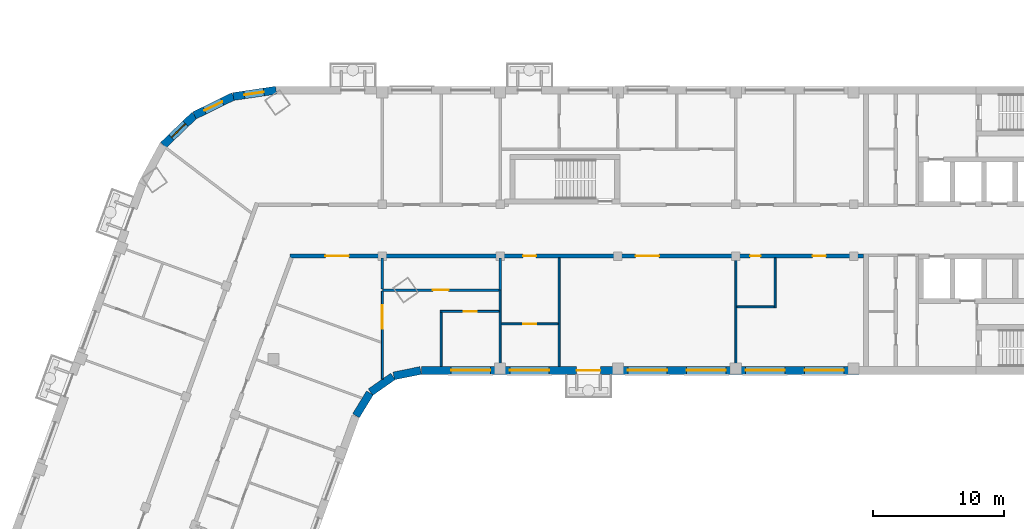
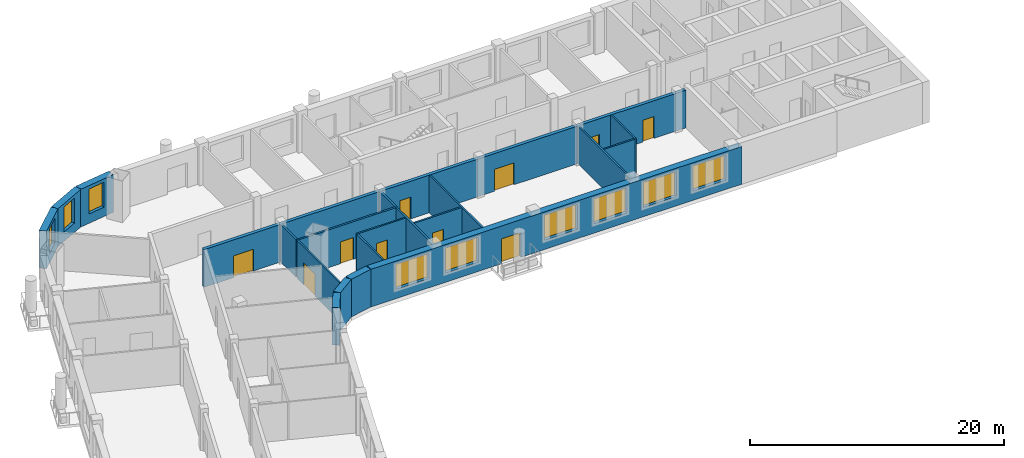
# One storey, part 4 of 13: 20 walls, 10 doors, 9 windows, 19 openings.
"""IFC4 building model written with IfcOpenShell, lengths in metres."""

from ifc_helpers import new_model, si_unit, direction, frame, frame_2d, origin, place, context, subcontext, project, spatial, rectangle, extrude, material, layer, layer_set, type_object, element, fill, save


model = new_model("IFC4")

# Units and contexts
model_context = context("Model", 3, precision=1e-05, world=origin(), true_north=direction((0.0, 1.0)))
body_context = subcontext(model_context, "Body", "Model", "MODEL_VIEW")
ifc_project = project(units=[si_unit("LENGTHUNIT", "METRE"), si_unit("AREAUNIT", "SQUARE_METRE"), si_unit("VOLUMEUNIT", "CUBIC_METRE"), si_unit("PLANEANGLEUNIT", "RADIAN"), si_unit("MASSUNIT", "GRAM", prefix="KILO")], contexts=[model_context])

# Site, building, storey
site_placement = place(None, origin())
site = spatial("IfcSite", under=ifc_project, at=site_placement, CompositionType="ELEMENT")
building_placement = place(site_placement, origin())
building = spatial("IfcBuilding", under=site, at=building_placement, Name="Skarvind Civic Tower", CompositionType="ELEMENT")
storey_placement = place(building_placement, frame((0.0, 0.0, 93.0)))
storey = spatial("IfcBuildingStorey", under=building, at=storey_placement, Name="L21", CompositionType="ELEMENT", Elevation=93.0)

# Wall
ifc_material_1 = material(Name="Acoustic gypsum board on steel studs", Category="steel")
ifc_layer_1 = layer(ifc_material_1, 0.175048828125)
ifc_layer_set_1 = layer_set([ifc_layer_1], Name="ACOUSTIC MEETING-ROOM PARTITION 175")
wall_type_1 = type_object("IfcWallType", Name="ACOUSTIC MEETING-ROOM PARTITION 175", PredefinedType="PARTITIONING", material=ifc_layer_set_1)
wall_1_placement = place(storey_placement, frame((54.25, 123.501953125, 0.0), z_axis=(0.0, 0.0, 1.0), x_axis=(0.0, 1.0, 0.0)))
element("IfcWall", 1, at=wall_1_placement, inside=storey, type_object=wall_type_1, Name="Partition 21.019", PredefinedType="PARTITIONING", context=body_context, shape_type="SweptSolid", body=[
    extrude(rectangle(XDim=2.39794921875, YDim=0.175048828125, at=frame_2d((1.198974609375, 0.0))), origin(), (0.0, 0.0, 1.0), 3.625),
])

# Wall, opening, door
wall_2_placement = place(storey_placement, frame((54.25, 123.429931640625, 0.0), z_axis=(0.0, 0.0, 1.0), x_axis=(1.0, 0.0, 0.0)))
wall_2 = element("IfcWall", 2, at=wall_2_placement, inside=storey, type_object=wall_type_1, Name="Partition 21.020", PredefinedType="PARTITIONING", context=body_context, shape_type="SweptSolid", body=[
    extrude(rectangle(XDim=8.912109375, YDim=0.175048828125, at=frame_2d((4.4560546875, 0.0))), origin(), (0.0, 0.0, 1.0), 3.625),
])
opening_1_placement = place(wall_2_placement, frame((3.865966796875, 0.0, 0.0)))
opening_1 = element("IfcOpeningElement", 3, at=opening_1_placement, cuts=wall_2, Name="Opening L21-D029", PredefinedType="OPENING", context=body_context, shape_type="SweptSolid", body=[
    extrude(rectangle(XDim=1.199951171875, YDim=2.10009765625, at=frame_2d((0.60009765625, 1.050048828125))), frame((0.0, 0.097412109375, 0.0), z_axis=(0.0, -1.0, 0.0), x_axis=(1.0, 0.0, 0.0)), (0.0, 0.0, 1.0), 0.195068359375),
])
ifc_material_2 = material(Name="Timber door leaf", Category="wood")
door_type_1 = type_object("IfcDoorType", Name="DOOR 1200X2100 DOUBLE TIMBER", OperationType="NOTDEFINED", PredefinedType="DOOR", material=ifc_material_2)
door_1_placement = place(opening_1_placement, origin())
door_1 = element("IfcDoor", 4, at=door_1_placement, inside=storey, type_object=door_type_1, Name="Door L21-D029", OperationType="DOUBLE_DOOR_SINGLE_SWING", OverallHeight=2.10009765625, OverallWidth=1.199951171875, PredefinedType="DOOR", context=body_context, shape_type="SweptSolid", body=[
    extrude(rectangle(XDim=1.199951171875, YDim=2.10009765625, at=frame_2d((0.60009765625, 1.050048828125))), frame((0.0, 0.02490234375, 0.0), z_axis=(0.0, -1.0, 0.0), x_axis=(1.0, 0.0, 0.0)), (0.0, 0.0, 1.0), 0.050048828125),
])
fill(opening_1, door_1)

# Wall
wall_3_placement = place(storey_placement, frame((63.25, 123.429931640625, 0.0), z_axis=(0.0, 0.0, 1.0), x_axis=(0.0, 1.0, 0.0)))
element("IfcWall", 5, at=wall_3_placement, inside=storey, type_object=wall_type_1, Name="Partition 21.027", PredefinedType="PARTITIONING", context=body_context, shape_type="SweptSolid", body=[
    extrude(rectangle(XDim=2.469970703125, YDim=0.175048828125, at=frame_2d((1.23486328125, 0.0))), origin(), (0.0, 0.0, 1.0), 3.625),
])

# Wall, openings, doors
ifc_material_3 = material(Name="Fire-rated gypsum board on steel studs", Category="steel")
ifc_layer_2 = layer(ifc_material_3, 0.300048828125)
ifc_layer_set_2 = layer_set([ifc_layer_2], Name="CORRIDOR WALL 300")
wall_type_2 = type_object("IfcWallType", Name="CORRIDOR WALL 300", PredefinedType="PARTITIONING", material=ifc_layer_set_2)
wall_4_placement = place(storey_placement, frame((91.0, 126.050048828125, 0.0), z_axis=(0.0, 0.0, 1.0), x_axis=(-1.0, 0.0, 0.0)))
wall_4 = element("IfcWall", 6, at=wall_4_placement, inside=storey, type_object=wall_type_2, Name="Partition 21.040", PredefinedType="PARTITIONING", context=body_context, shape_type="SweptSolid", body=[
    extrude(rectangle(XDim=43.784912109375, YDim=0.300048828125, at=frame_2d((21.892578125, 0.0))), origin(), (0.0, 0.0, 1.0), 3.625),
])
opening_2_placement = place(wall_4_placement, frame((7.85009765625, 0.0, 0.0)))
opening_2 = element("IfcOpeningElement", 7, at=opening_2_placement, cuts=wall_4, Name="Opening L21-D008", PredefinedType="OPENING", context=body_context, shape_type="SweptSolid", body=[
    extrude(rectangle(XDim=0.800048828125, YDim=2.10009765625, at=frame_2d((0.39990234375, 1.050048828125))), frame((0.0, 0.159912109375, 0.0), z_axis=(0.0, -1.0, 0.0), x_axis=(1.0, 0.0, 0.0)), (0.0, 0.0, 1.0), 0.320068359375),
])
opening_3_placement = place(wall_4_placement, frame((2.875, 0.0, 0.0)))
opening_3 = element("IfcOpeningElement", 8, at=opening_3_placement, cuts=wall_4, Name="Opening L21-D009", PredefinedType="OPENING", context=body_context, shape_type="SweptSolid", body=[
    extrude(rectangle(XDim=1.0, YDim=2.10009765625, at=frame_2d((0.5, 1.050048828125))), frame((0.0, 0.159912109375, 0.0), z_axis=(0.0, -1.0, 0.0), x_axis=(1.0, 0.0, 0.0)), (0.0, 0.0, 1.0), 0.320068359375),
])
opening_4_placement = place(wall_4_placement, frame((15.60009765625, 0.0, 0.0)))
opening_4 = element("IfcOpeningElement", 9, at=opening_4_placement, cuts=wall_4, Name="Opening L21-D010", PredefinedType="OPENING", context=body_context, shape_type="SweptSolid", body=[
    extrude(rectangle(XDim=1.800048828125, YDim=2.10009765625, at=frame_2d((0.89990234375, 1.050048828125))), frame((0.0, 0.159912109375, 0.0), z_axis=(0.0, -1.0, 0.0), x_axis=(1.0, 0.0, 0.0)), (0.0, 0.0, 1.0), 0.320068359375),
])
opening_5_placement = place(wall_4_placement, frame((25.0, 0.0, 0.0)))
opening_5 = element("IfcOpeningElement", 10, at=opening_5_placement, cuts=wall_4, Name="Opening L21-D011", PredefinedType="OPENING", context=body_context, shape_type="SweptSolid", body=[
    extrude(rectangle(XDim=1.0, YDim=2.10009765625, at=frame_2d((0.5, 1.050048828125))), frame((0.0, 0.159912109375, 0.0), z_axis=(0.0, -1.0, 0.0), x_axis=(1.0, 0.0, 0.0)), (0.0, 0.0, 1.0), 0.320068359375),
])
opening_6_placement = place(wall_4_placement, frame((39.2958984375, 0.0, 0.0)))
opening_6 = element("IfcOpeningElement", 11, at=opening_6_placement, cuts=wall_4, Name="Opening L21-D028", PredefinedType="OPENING", context=body_context, shape_type="SweptSolid", body=[
    extrude(rectangle(XDim=1.800048828125, YDim=2.10009765625, at=frame_2d((0.89990234375, 1.050048828125))), frame((0.0, 0.159912109375, 0.0), z_axis=(0.0, -1.0, 0.0), x_axis=(1.0, 0.0, 0.0)), (0.0, 0.0, 1.0), 0.320068359375),
])
ifc_material_4 = material(Name="Fire-rated timber door leaf", Category="wood")
door_type_2 = type_object("IfcDoorType", Name="FD1 1000x2100", OperationType="NOTDEFINED", PredefinedType="DOOR", material=ifc_material_4)
door_2_placement = place(opening_3_placement, origin())
door_2 = element("IfcDoor", 12, at=door_2_placement, inside=storey, type_object=door_type_2, Name="Door L21-D009", OperationType="SINGLE_SWING_LEFT", OverallHeight=2.10009765625, OverallWidth=1.0, PredefinedType="DOOR", context=body_context, shape_type="SweptSolid", body=[
    extrude(rectangle(XDim=1.0, YDim=2.10009765625, at=frame_2d((0.5, 1.050048828125))), frame((0.0, 0.02490234375, 0.0), z_axis=(0.0, -1.0, 0.0), x_axis=(1.0, 0.0, 0.0)), (0.0, 0.0, 1.0), 0.050048828125),
])
fill(opening_3, door_2)
door_3_placement = place(opening_5_placement, origin())
door_3 = element("IfcDoor", 13, at=door_3_placement, inside=storey, type_object=door_type_2, Name="Door L21-D011", OperationType="SINGLE_SWING_LEFT", OverallHeight=2.10009765625, OverallWidth=1.0, PredefinedType="DOOR", context=body_context, shape_type="SweptSolid", body=[
    extrude(rectangle(XDim=1.0, YDim=2.10009765625, at=frame_2d((0.5, 1.050048828125))), frame((0.0, 0.02490234375, 0.0), z_axis=(0.0, -1.0, 0.0), x_axis=(1.0, 0.0, 0.0)), (0.0, 0.0, 1.0), 0.050048828125),
])
fill(opening_5, door_3)
door_type_3 = type_object("IfcDoorType", Name="FD4 1800x2100", OperationType="NOTDEFINED", PredefinedType="DOOR", material=ifc_material_4)
door_4_placement = place(opening_4_placement, origin())
door_4 = element("IfcDoor", 14, at=door_4_placement, inside=storey, type_object=door_type_3, Name="Door L21-D010", OperationType="DOUBLE_DOOR_SINGLE_SWING", OverallHeight=2.10009765625, OverallWidth=1.800048828125, PredefinedType="DOOR", context=body_context, shape_type="SweptSolid", body=[
    extrude(rectangle(XDim=1.800048828125, YDim=2.10009765625, at=frame_2d((0.89990234375, 1.050048828125))), frame((0.0, 0.02490234375, 0.0), z_axis=(0.0, -1.0, 0.0), x_axis=(1.0, 0.0, 0.0)), (0.0, 0.0, 1.0), 0.050048828125),
])
fill(opening_4, door_4)
door_5_placement = place(opening_6_placement, origin())
door_5 = element("IfcDoor", 15, at=door_5_placement, inside=storey, type_object=door_type_3, Name="Door L21-D028", OperationType="DOUBLE_DOOR_SINGLE_SWING", OverallHeight=2.10009765625, OverallWidth=1.800048828125, PredefinedType="DOOR", context=body_context, shape_type="SweptSolid", body=[
    extrude(rectangle(XDim=1.800048828125, YDim=2.10009765625, at=frame_2d((0.89990234375, 1.050048828125))), frame((0.0, 0.02490234375, 0.0), z_axis=(0.0, -1.0, 0.0), x_axis=(1.0, 0.0, 0.0)), (0.0, 0.0, 1.0), 0.050048828125),
])
fill(opening_6, door_5)
door_type_4 = type_object("IfcDoorType", Name="FD5 800x2100", OperationType="NOTDEFINED", PredefinedType="DOOR", material=ifc_material_4)
door_6_placement = place(opening_2_placement, origin())
door_6 = element("IfcDoor", 16, at=door_6_placement, inside=storey, type_object=door_type_4, Name="Door L21-D008", OperationType="SINGLE_SWING_RIGHT", OverallHeight=2.10009765625, OverallWidth=0.800048828125, PredefinedType="DOOR", context=body_context, shape_type="SweptSolid", body=[
    extrude(rectangle(XDim=0.800048828125, YDim=2.10009765625, at=frame_2d((0.39990234375, 1.050048828125))), frame((0.0, 0.02490234375, 0.0), z_axis=(0.0, -1.0, 0.0), x_axis=(1.0, 0.0, 0.0)), (0.0, 0.0, 1.0), 0.050048828125),
])
fill(opening_2, door_6)

# Wall, opening, door
ifc_material_5 = material(Name="Plasterboard partition on steel studs", Category="steel")
ifc_layer_3 = layer(ifc_material_5, 0.14990234375)
ifc_layer_set_3 = layer_set([ifc_layer_3], Name="PARTITION 150")
wall_type_3 = type_object("IfcWallType", Name="PARTITION 150", PredefinedType="PARTITIONING", material=ifc_layer_set_3)
wall_5_placement = place(storey_placement, frame((54.25, 116.636962890625, 0.0), z_axis=(0.0, 0.0, 1.0), x_axis=(0.0, 1.0, 0.0)))
wall_5 = element("IfcWall", 17, at=wall_5_placement, inside=storey, type_object=wall_type_3, Name="Partition 21.017", PredefinedType="PARTITIONING", context=body_context, shape_type="SweptSolid", body=[
    extrude(rectangle(XDim=6.708984375, YDim=0.14990234375, at=frame_2d((3.3544921875, 0.0))), origin(), (0.0, 0.0, 1.0), 3.625),
])
opening_7_placement = place(wall_5_placement, frame((3.849609375, 0.0, 0.0)))
opening_7 = element("IfcOpeningElement", 18, at=opening_7_placement, cuts=wall_5, Name="Opening L21-D014", PredefinedType="OPENING", context=body_context, shape_type="SweptSolid", body=[
    extrude(rectangle(XDim=1.800048828125, YDim=2.10009765625, at=frame_2d((0.89990234375, 1.050048828125))), frame((0.0, 0.0849609375, 0.0), z_axis=(0.0, -1.0, 0.0), x_axis=(1.0, 0.0, 0.0)), (0.0, 0.0, 1.0), 0.169921875),
])
door_type_5 = type_object("IfcDoorType", Name="D4 1800x2100", OperationType="NOTDEFINED", PredefinedType="DOOR", material=ifc_material_2)
door_7_placement = place(opening_7_placement, origin())
door_7 = element("IfcDoor", 19, at=door_7_placement, inside=storey, type_object=door_type_5, Name="Door L21-D014", OperationType="DOUBLE_DOOR_SINGLE_SWING", OverallHeight=2.10009765625, OverallWidth=1.800048828125, PredefinedType="DOOR", context=body_context, shape_type="SweptSolid", body=[
    extrude(rectangle(XDim=1.800048828125, YDim=2.10009765625, at=frame_2d((0.89990234375, 1.050048828125))), frame((0.0, 0.02490234375, 0.0), z_axis=(0.0, -1.0, 0.0), x_axis=(1.0, 0.0, 0.0)), (0.0, 0.0, 1.0), 0.050048828125),
])
fill(opening_7, door_7)

# Walls
wall_6_placement = place(storey_placement, frame((58.75, 117.60009765625, 0.0), z_axis=(0.0, 0.0, 1.0), x_axis=(0.0, 1.0, 0.0)))
element("IfcWall", 20, at=wall_6_placement, inside=storey, type_object=wall_type_3, Name="Partition 21.022", PredefinedType="PARTITIONING", context=body_context, shape_type="SweptSolid", body=[
    extrude(rectangle(XDim=4.125, YDim=0.14990234375, at=frame_2d((2.0625, 0.0))), origin(), (0.0, 0.0, 1.0), 3.625),
])
wall_7_placement = place(storey_placement, frame((63.25, 117.60009765625, 0.0), z_axis=(0.0, 0.0, 1.0), x_axis=(0.0, 1.0, 0.0)))
element("IfcWall", 21, at=wall_7_placement, inside=storey, type_object=wall_type_3, Name="Partition 21.024", PredefinedType="PARTITIONING", context=body_context, shape_type="SweptSolid", body=[
    extrude(rectangle(XDim=5.829833984375, YDim=0.14990234375, at=frame_2d((2.9150390625, 0.0))), origin(), (0.0, 0.0, 1.0), 3.625),
])

# Wall, opening, door
wall_8_placement = place(storey_placement, frame((63.324951171875, 120.85009765625, 0.0), z_axis=(0.0, 0.0, 1.0), x_axis=(1.0, 0.0, 0.0)))
wall_8 = element("IfcWall", 22, at=wall_8_placement, inside=storey, type_object=wall_type_3, Name="Partition 21.025", PredefinedType="PARTITIONING", context=body_context, shape_type="SweptSolid", body=[
    extrude(rectangle(XDim=4.35009765625, YDim=0.14990234375, at=frame_2d((2.175048828125, 0.0))), origin(), (0.0, 0.0, 1.0), 3.625),
])
opening_8_placement = place(wall_8_placement, frame((1.675048828125, 0.0, 0.0)))
opening_8 = element("IfcOpeningElement", 23, at=opening_8_placement, cuts=wall_8, Name="Opening L21-D013", PredefinedType="OPENING", context=body_context, shape_type="SweptSolid", body=[
    extrude(rectangle(XDim=1.0, YDim=2.10009765625, at=frame_2d((0.5, 1.050048828125))), frame((0.0, 0.0849609375, 0.0), z_axis=(0.0, -1.0, 0.0), x_axis=(1.0, 0.0, 0.0)), (0.0, 0.0, 1.0), 0.169921875),
])
door_type_6 = type_object("IfcDoorType", Name="D1 1000x2100", OperationType="NOTDEFINED", PredefinedType="DOOR", material=ifc_material_2)
door_8_placement = place(opening_8_placement, origin())
door_8 = element("IfcDoor", 24, at=door_8_placement, inside=storey, type_object=door_type_6, Name="Door L21-D013", OperationType="SINGLE_SWING_LEFT", OverallHeight=2.10009765625, OverallWidth=1.0, PredefinedType="DOOR", context=body_context, shape_type="SweptSolid", body=[
    extrude(rectangle(XDim=1.0, YDim=2.10009765625, at=frame_2d((0.5, 1.050048828125))), frame((0.0, 0.02490234375, 0.0), z_axis=(0.0, -1.0, 0.0), x_axis=(1.0, 0.0, 0.0)), (0.0, 0.0, 1.0), 0.050048828125),
])
fill(opening_8, door_8)

wall_9_placement = place(storey_placement, frame((58.675048828125, 121.800048828125, 0.0), z_axis=(0.0, 0.0, 1.0), x_axis=(1.0, 0.0, 0.0)))
wall_9 = element("IfcWall", 25, at=wall_9_placement, inside=storey, type_object=wall_type_3, Name="Partition 21.026", PredefinedType="PARTITIONING", context=body_context, shape_type="SweptSolid", body=[
    extrude(rectangle(XDim=4.5, YDim=0.14990234375, at=frame_2d((2.25, 0.0))), origin(), (0.0, 0.0, 1.0), 3.625),
])
opening_9_placement = place(wall_9_placement, frame((1.797607421875, 0.0, 0.0)))
opening_9 = element("IfcOpeningElement", 26, at=opening_9_placement, cuts=wall_9, Name="Opening L21-D012", PredefinedType="OPENING", context=body_context, shape_type="SweptSolid", body=[
    extrude(rectangle(XDim=1.0, YDim=2.10009765625, at=frame_2d((0.5, 1.050048828125))), frame((0.0, 0.0849609375, 0.0), z_axis=(0.0, -1.0, 0.0), x_axis=(1.0, 0.0, 0.0)), (0.0, 0.0, 1.0), 0.169921875),
])
door_9_placement = place(opening_9_placement, origin())
door_9 = element("IfcDoor", 27, at=door_9_placement, inside=storey, type_object=door_type_6, Name="Door L21-D012", OperationType="SINGLE_SWING_LEFT", OverallHeight=2.10009765625, OverallWidth=1.0, PredefinedType="DOOR", context=body_context, shape_type="SweptSolid", body=[
    extrude(rectangle(XDim=1.0, YDim=2.10009765625, at=frame_2d((0.5, 1.050048828125))), frame((0.0, 0.02490234375, 0.0), z_axis=(0.0, -1.0, 0.0), x_axis=(1.0, 0.0, 0.0)), (0.0, 0.0, 1.0), 0.050048828125),
])
fill(opening_9, door_9)

# Walls
for number, where, z_axis, x_axis, name in (
    (28, (67.75, 117.60009765625, 0.0), (0.0, 0.0, 1.0), (0.0, 1.0, 0.0), "Partition 21.030"),
    (29, (81.25, 117.60009765625, 0.0), (0.0, 0.0, 1.0), (0.0, 1.0, 0.0), "Partition 21.035"),
):
    element("IfcWall", number, at=place(storey_placement, frame(where, z_axis=z_axis, x_axis=x_axis)), inside=storey, type_object=wall_type_3, Name=name, PredefinedType="PARTITIONING", context=body_context, shape_type="SweptSolid", body=[
        extrude(rectangle(XDim=8.2998046875, YDim=0.14990234375, at=frame_2d((4.14990234375, 0.0))), origin(), (0.0, 0.0, 1.0), 3.625),
    ])
wall_10_placement = place(storey_placement, frame((84.175048828125, 122.14990234375, 0.0), z_axis=(0.0, 0.0, 1.0), x_axis=(-1.0, 0.0, 0.0)))
element("IfcWall", 30, at=wall_10_placement, inside=storey, type_object=wall_type_3, Name="Partition 21.037", PredefinedType="PARTITIONING", context=body_context, shape_type="SweptSolid", body=[
    extrude(rectangle(XDim=2.85009765625, YDim=0.14990234375, at=frame_2d((1.425048828125, 0.0))), origin(), (0.0, 0.0, 1.0), 3.625),
])
wall_11_placement = place(storey_placement, frame((84.25, 125.89990234375, 0.0), z_axis=(0.0, 0.0, 1.0), x_axis=(0.0, -1.0, 0.0)))
element("IfcWall", 31, at=wall_11_placement, inside=storey, type_object=wall_type_3, Name="Partition 21.038", PredefinedType="PARTITIONING", context=body_context, shape_type="SweptSolid", body=[
    extrude(rectangle(XDim=3.824951171875, YDim=0.14990234375, at=frame_2d((1.91259765625, 0.0))), origin(), (0.0, 0.0, 1.0), 3.625),
])
ifc_material_6 = material(Name="Limestone masonry cladding on insulated backing", Category="masonry")
ifc_layer_4 = layer(ifc_material_6, 0.60009765625)
ifc_layer_set_4 = layer_set([ifc_layer_4], Name="WX1 STONE FACADE WALL 600")
wall_type_4 = type_object("IfcWallType", Name="WX1 STONE FACADE WALL 600", PredefinedType="SOLIDWALL", material=ifc_layer_set_4)
wall_12_placement = place(storey_placement, frame((53.30517578125, 115.578369140625, 0.0), z_axis=(0.0, 0.0, 1.0), x_axis=(-0.522402266438, -0.852699168535, 0.0)))
element("IfcWall", 32, at=wall_12_placement, inside=storey, type_object=wall_type_4, Name="STONE FACADE WALL", PredefinedType="SOLIDWALL", context=body_context, shape_type="SweptSolid", body=[
    extrude(rectangle(XDim=2.042236328125, YDim=0.60009765625, at=frame_2d((1.02099609375, 0.0))), origin(), (0.0, 0.0, 1.0), 3.625),
])
for number, where, z_axis, x_axis, name in (
    (33, (55.061767578125, 116.8388671875, 0.0), (0.0, 0.0, 1.0), (-0.819122269495, -0.573618956815, 0.0), "STONE FACADE WALL"),
    (34, (57.17529296875, 117.2939453125, 0.0), (0.0, 0.0, 1.0), (-0.97996099083, -0.19918949885, 0.0), "STONE FACADE WALL"),
):
    element("IfcWall", number, at=place(storey_placement, frame(where, z_axis=z_axis, x_axis=x_axis)), inside=storey, type_object=wall_type_4, Name=name, PredefinedType="SOLIDWALL", context=body_context, shape_type="SweptSolid", body=[
        extrude(rectangle(XDim=2.09228515625, YDim=0.60009765625, at=frame_2d((1.046142578125, 0.0))), origin(), (0.0, 0.0, 1.0), 3.625),
    ])

# Wall, openings, door, windows
wall_13_placement = place(storey_placement, frame((90.97998046875, 117.300048828125, 0.0), z_axis=(0.0, 0.0, 1.0), x_axis=(-1.0, 0.0, 0.0)))
wall_13 = element("IfcWall", 35, at=wall_13_placement, inside=storey, type_object=wall_type_4, Name="STONE FACADE WALL", PredefinedType="SOLIDWALL", context=body_context, shape_type="SweptSolid", body=[
    extrude(rectangle(XDim=33.744873046875, YDim=0.60009765625, at=frame_2d((16.87255859375, 0.0))), origin(), (0.0, 0.0, 1.0), 3.625),
])
opening_10_placement = place(wall_13_placement, frame((1.47998046875, 0.0, 0.89990234375)))
opening_10 = element("IfcOpeningElement", 36, at=opening_10_placement, cuts=wall_13, Name="Opening WN1", PredefinedType="OPENING", context=body_context, shape_type="SweptSolid", body=[
    extrude(rectangle(XDim=3.0, YDim=2.39990234375, at=frame_2d((1.5, 1.199951171875))), frame((0.0, 0.31005859375, 0.0), z_axis=(0.0, -1.0, 0.0), x_axis=(1.0, 0.0, 0.0)), (0.0, 0.0, 1.0), 0.6201171875),
])
opening_11_placement = place(wall_13_placement, frame((5.97998046875, 0.0, 0.89990234375)))
opening_11 = element("IfcOpeningElement", 37, at=opening_11_placement, cuts=wall_13, Name="Opening WN1", PredefinedType="OPENING", context=body_context, shape_type="SweptSolid", body=[
    extrude(rectangle(XDim=3.0, YDim=2.39990234375, at=frame_2d((1.5, 1.199951171875))), frame((0.0, 0.31005859375, 0.0), z_axis=(0.0, -1.0, 0.0), x_axis=(1.0, 0.0, 0.0)), (0.0, 0.0, 1.0), 0.6201171875),
])
opening_12_placement = place(wall_13_placement, frame((10.47998046875, 0.0, 0.89990234375)))
opening_12 = element("IfcOpeningElement", 38, at=opening_12_placement, cuts=wall_13, Name="Opening WN1", PredefinedType="OPENING", context=body_context, shape_type="SweptSolid", body=[
    extrude(rectangle(XDim=3.0, YDim=2.39990234375, at=frame_2d((1.5, 1.199951171875))), frame((0.0, 0.31005859375, 0.0), z_axis=(0.0, -1.0, 0.0), x_axis=(1.0, 0.0, 0.0)), (0.0, 0.0, 1.0), 0.6201171875),
])
opening_13_placement = place(wall_13_placement, frame((14.97998046875, 0.0, 0.89990234375)))
opening_13 = element("IfcOpeningElement", 39, at=opening_13_placement, cuts=wall_13, Name="Opening WN1", PredefinedType="OPENING", context=body_context, shape_type="SweptSolid", body=[
    extrude(rectangle(XDim=3.0, YDim=2.39990234375, at=frame_2d((1.5, 1.199951171875))), frame((0.0, 0.31005859375, 0.0), z_axis=(0.0, -1.0, 0.0), x_axis=(1.0, 0.0, 0.0)), (0.0, 0.0, 1.0), 0.6201171875),
])
opening_14_placement = place(wall_13_placement, frame((20.080078125, 0.0, 0.0)))
opening_14 = element("IfcOpeningElement", 40, at=opening_14_placement, cuts=wall_13, Name="Opening DX3", PredefinedType="OPENING", context=body_context, shape_type="SweptSolid", body=[
    extrude(rectangle(XDim=1.800048828125, YDim=2.39990234375, at=frame_2d((0.89990234375, 1.199951171875))), frame((0.0, 0.31005859375, 0.0), z_axis=(0.0, -1.0, 0.0), x_axis=(1.0, 0.0, 0.0)), (0.0, 0.0, 1.0), 0.6201171875),
])
opening_15_placement = place(wall_13_placement, frame((23.97998046875, 0.0, 0.89990234375)))
opening_15 = element("IfcOpeningElement", 41, at=opening_15_placement, cuts=wall_13, Name="Opening WN1", PredefinedType="OPENING", context=body_context, shape_type="SweptSolid", body=[
    extrude(rectangle(XDim=3.0, YDim=2.39990234375, at=frame_2d((1.5, 1.199951171875))), frame((0.0, 0.31005859375, 0.0), z_axis=(0.0, -1.0, 0.0), x_axis=(1.0, 0.0, 0.0)), (0.0, 0.0, 1.0), 0.6201171875),
])
opening_16_placement = place(wall_13_placement, frame((28.47998046875, 0.0, 0.89990234375)))
opening_16 = element("IfcOpeningElement", 42, at=opening_16_placement, cuts=wall_13, Name="Opening WN1", PredefinedType="OPENING", context=body_context, shape_type="SweptSolid", body=[
    extrude(rectangle(XDim=3.0, YDim=2.39990234375, at=frame_2d((1.5, 1.199951171875))), frame((0.0, 0.31005859375, 0.0), z_axis=(0.0, -1.0, 0.0), x_axis=(1.0, 0.0, 0.0)), (0.0, 0.0, 1.0), 0.6201171875),
])
ifc_material_7 = material(Name="Timber and glass doorset", Category="wood")
door_type_7 = type_object("IfcDoorType", Name="DX3 TERRACE DOORS 1800 x 2400", OperationType="NOTDEFINED", PredefinedType="DOOR", material=ifc_material_7)
door_10_placement = place(opening_14_placement, origin())
door_10 = element("IfcDoor", 43, at=door_10_placement, inside=storey, type_object=door_type_7, Name="TERRACE DOORS", OperationType="DOUBLE_DOOR_SINGLE_SWING", OverallHeight=2.39990234375, OverallWidth=1.800048828125, PredefinedType="DOOR", context=body_context, shape_type="SweptSolid", body=[
    extrude(rectangle(XDim=1.800048828125, YDim=2.39990234375, at=frame_2d((0.89990234375, 1.199951171875))), frame((0.0, 0.02490234375, 0.0), z_axis=(0.0, -1.0, 0.0), x_axis=(1.0, 0.0, 0.0)), (0.0, 0.0, 1.0), 0.050048828125),
])
fill(opening_14, door_10)
ifc_material_8 = material(Name="Timber frame, double glazing, timber-lined reveal", Category="wood")
window_type_1 = type_object("IfcWindowType", Name="WN1 PUNCHED STONE WINDOW 3000 x 2400", PartitioningType="SINGLE_PANEL", PredefinedType="WINDOW", material=ifc_material_8)
window_1_placement = place(opening_10_placement, origin())
window_1 = element("IfcWindow", 44, at=window_1_placement, inside=storey, type_object=window_type_1, Name="WN1 WINDOW", OverallHeight=2.39990234375, OverallWidth=3.0, PartitioningType="SINGLE_PANEL", PredefinedType="WINDOW", context=body_context, shape_type="SweptSolid", body=[
    extrude(rectangle(XDim=3.0, YDim=2.39990234375, at=frame_2d((1.5, 1.199951171875))), frame((0.0, 0.030029296875, 0.0), z_axis=(0.0, -1.0, 0.0), x_axis=(1.0, 0.0, 0.0)), (0.0, 0.0, 1.0), 0.06005859375),
])
fill(opening_10, window_1)
window_2_placement = place(opening_11_placement, origin())
window_2 = element("IfcWindow", 45, at=window_2_placement, inside=storey, type_object=window_type_1, Name="WN1 WINDOW", OverallHeight=2.39990234375, OverallWidth=3.0, PartitioningType="SINGLE_PANEL", PredefinedType="WINDOW", context=body_context, shape_type="SweptSolid", body=[
    extrude(rectangle(XDim=3.0, YDim=2.39990234375, at=frame_2d((1.5, 1.199951171875))), frame((0.0, 0.030029296875, 0.0), z_axis=(0.0, -1.0, 0.0), x_axis=(1.0, 0.0, 0.0)), (0.0, 0.0, 1.0), 0.06005859375),
])
fill(opening_11, window_2)
window_3_placement = place(opening_12_placement, origin())
window_3 = element("IfcWindow", 46, at=window_3_placement, inside=storey, type_object=window_type_1, Name="WN1 WINDOW", OverallHeight=2.39990234375, OverallWidth=3.0, PartitioningType="SINGLE_PANEL", PredefinedType="WINDOW", context=body_context, shape_type="SweptSolid", body=[
    extrude(rectangle(XDim=3.0, YDim=2.39990234375, at=frame_2d((1.5, 1.199951171875))), frame((0.0, 0.030029296875, 0.0), z_axis=(0.0, -1.0, 0.0), x_axis=(1.0, 0.0, 0.0)), (0.0, 0.0, 1.0), 0.06005859375),
])
fill(opening_12, window_3)
window_4_placement = place(opening_13_placement, origin())
window_4 = element("IfcWindow", 47, at=window_4_placement, inside=storey, type_object=window_type_1, Name="WN1 WINDOW", OverallHeight=2.39990234375, OverallWidth=3.0, PartitioningType="SINGLE_PANEL", PredefinedType="WINDOW", context=body_context, shape_type="SweptSolid", body=[
    extrude(rectangle(XDim=3.0, YDim=2.39990234375, at=frame_2d((1.5, 1.199951171875))), frame((0.0, 0.030029296875, 0.0), z_axis=(0.0, -1.0, 0.0), x_axis=(1.0, 0.0, 0.0)), (0.0, 0.0, 1.0), 0.06005859375),
])
fill(opening_13, window_4)
window_5_placement = place(opening_15_placement, origin())
window_5 = element("IfcWindow", 48, at=window_5_placement, inside=storey, type_object=window_type_1, Name="WN1 WINDOW", OverallHeight=2.39990234375, OverallWidth=3.0, PartitioningType="SINGLE_PANEL", PredefinedType="WINDOW", context=body_context, shape_type="SweptSolid", body=[
    extrude(rectangle(XDim=3.0, YDim=2.39990234375, at=frame_2d((1.5, 1.199951171875))), frame((0.0, 0.030029296875, 0.0), z_axis=(0.0, -1.0, 0.0), x_axis=(1.0, 0.0, 0.0)), (0.0, 0.0, 1.0), 0.06005859375),
])
fill(opening_15, window_5)
window_6_placement = place(opening_16_placement, origin())
window_6 = element("IfcWindow", 49, at=window_6_placement, inside=storey, type_object=window_type_1, Name="WN1 WINDOW", OverallHeight=2.39990234375, OverallWidth=3.0, PartitioningType="SINGLE_PANEL", PredefinedType="WINDOW", context=body_context, shape_type="SweptSolid", body=[
    extrude(rectangle(XDim=3.0, YDim=2.39990234375, at=frame_2d((1.5, 1.199951171875))), frame((0.0, 0.030029296875, 0.0), z_axis=(0.0, -1.0, 0.0), x_axis=(1.0, 0.0, 0.0)), (0.0, 0.0, 1.0), 0.06005859375),
])
fill(opening_16, window_6)

# Wall, opening, window
wall_14_placement = place(storey_placement, frame((42.872802734375, 138.21728515625, 0.0), z_axis=(0.0, 0.0, 1.0), x_axis=(0.989110792192, 0.14717282619, 0.0)))
wall_14 = element("IfcWall", 50, at=wall_14_placement, inside=storey, type_object=wall_type_4, Name="STONE FACADE WALL", PredefinedType="SOLIDWALL", context=body_context, shape_type="SweptSolid", body=[
    extrude(rectangle(XDim=3.302734375, YDim=0.60009765625, at=frame_2d((1.6513671875, 0.0))), origin(), (0.0, 0.0, 1.0), 3.625),
])
opening_17_placement = place(wall_14_placement, frame((0.8564453125, 0.0, 0.89990234375)))
opening_17 = element("IfcOpeningElement", 51, at=opening_17_placement, cuts=wall_14, Name="Opening WN8", PredefinedType="OPENING", context=body_context, shape_type="SweptSolid", body=[
    extrude(rectangle(XDim=1.5, YDim=2.39990234375, at=frame_2d((0.75, 1.199951171875))), frame((0.0, 0.31005859375, 0.0), z_axis=(0.0, -1.0, 0.0), x_axis=(1.0, 0.0, 0.0)), (0.0, 0.0, 1.0), 0.6201171875),
])
window_type_2 = type_object("IfcWindowType", Name="WN8 ARC BAY WINDOW 1500 x 2400", PartitioningType="SINGLE_PANEL", PredefinedType="WINDOW", material=ifc_material_8)
window_7_placement = place(opening_17_placement, origin())
window_7 = element("IfcWindow", 52, at=window_7_placement, inside=storey, type_object=window_type_2, Name="WN8 WINDOW", OverallHeight=2.39990234375, OverallWidth=1.5, PartitioningType="SINGLE_PANEL", PredefinedType="WINDOW", context=body_context, shape_type="SweptSolid", body=[
    extrude(rectangle(XDim=1.5, YDim=2.39990234375, at=frame_2d((0.75, 1.199951171875))), frame((0.0, 0.030029296875, 0.0), z_axis=(0.0, -1.0, 0.0), x_axis=(1.0, 0.0, 0.0)), (0.0, 0.0, 1.0), 0.06005859375),
])
fill(opening_17, window_7)

wall_15_placement = place(storey_placement, frame((39.9072265625, 136.77587890625, 0.0), z_axis=(0.0, 0.0, 1.0), x_axis=(0.89761231107, 0.440785819889, 0.0)))
wall_15 = element("IfcWall", 53, at=wall_15_placement, inside=storey, type_object=wall_type_4, Name="STONE FACADE WALL", PredefinedType="SOLIDWALL", context=body_context, shape_type="SweptSolid", body=[
    extrude(rectangle(XDim=3.302734375, YDim=0.60009765625, at=frame_2d((1.6513671875, 0.0))), origin(), (0.0, 0.0, 1.0), 3.625),
])
opening_18_placement = place(wall_15_placement, frame((0.8564453125, 0.0, 0.89990234375)))
opening_18 = element("IfcOpeningElement", 54, at=opening_18_placement, cuts=wall_15, Name="Opening WN8", PredefinedType="OPENING", context=body_context, shape_type="SweptSolid", body=[
    extrude(rectangle(XDim=1.5, YDim=2.39990234375, at=frame_2d((0.75, 1.199951171875))), frame((0.0, 0.31005859375, 0.0), z_axis=(0.0, -1.0, 0.0), x_axis=(1.0, 0.0, 0.0)), (0.0, 0.0, 1.0), 0.6201171875),
])
window_8_placement = place(opening_18_placement, origin())
window_8 = element("IfcWindow", 55, at=window_8_placement, inside=storey, type_object=window_type_2, Name="WN8 WINDOW", OverallHeight=2.39990234375, OverallWidth=1.5, PartitioningType="SINGLE_PANEL", PredefinedType="WINDOW", context=body_context, shape_type="SweptSolid", body=[
    extrude(rectangle(XDim=1.5, YDim=2.39990234375, at=frame_2d((0.75, 1.199951171875))), frame((0.0, 0.030029296875, 0.0), z_axis=(0.0, -1.0, 0.0), x_axis=(1.0, 0.0, 0.0)), (0.0, 0.0, 1.0), 0.06005859375),
])
fill(opening_18, window_8)

wall_16_placement = place(storey_placement, frame((37.520263671875, 134.501220703125, 0.0), z_axis=(0.0, 0.0, 1.0), x_axis=(0.72115684486, 0.692771827596, 0.0)))
wall_16 = element("IfcWall", 56, at=wall_16_placement, inside=storey, type_object=wall_type_4, Name="STONE FACADE WALL", PredefinedType="SOLIDWALL", context=body_context, shape_type="SweptSolid", body=[
    extrude(rectangle(XDim=3.302734375, YDim=0.60009765625, at=frame_2d((1.6513671875, 0.0))), origin(), (0.0, 0.0, 1.0), 3.625),
])
opening_19_placement = place(wall_16_placement, frame((0.8564453125, 0.0, 0.89990234375)))
opening_19 = element("IfcOpeningElement", 57, at=opening_19_placement, cuts=wall_16, Name="Opening WN8", PredefinedType="OPENING", context=body_context, shape_type="SweptSolid", body=[
    extrude(rectangle(XDim=1.5, YDim=2.39990234375, at=frame_2d((0.75, 1.199951171875))), frame((0.0, 0.31005859375, 0.0), z_axis=(0.0, -1.0, 0.0), x_axis=(1.0, 0.0, 0.0)), (0.0, 0.0, 1.0), 0.6201171875),
])
window_9_placement = place(opening_19_placement, origin())
window_9 = element("IfcWindow", 58, at=window_9_placement, inside=storey, type_object=window_type_2, Name="WN8 WINDOW", OverallHeight=2.39990234375, OverallWidth=1.5, PartitioningType="SINGLE_PANEL", PredefinedType="WINDOW", context=body_context, shape_type="SweptSolid", body=[
    extrude(rectangle(XDim=1.5, YDim=2.39990234375, at=frame_2d((0.75, 1.199951171875))), frame((0.0, 0.030029296875, 0.0), z_axis=(0.0, -1.0, 0.0), x_axis=(1.0, 0.0, 0.0)), (0.0, 0.0, 1.0), 0.06005859375),
])
fill(opening_19, window_9)

save(model, "model.ifc")
